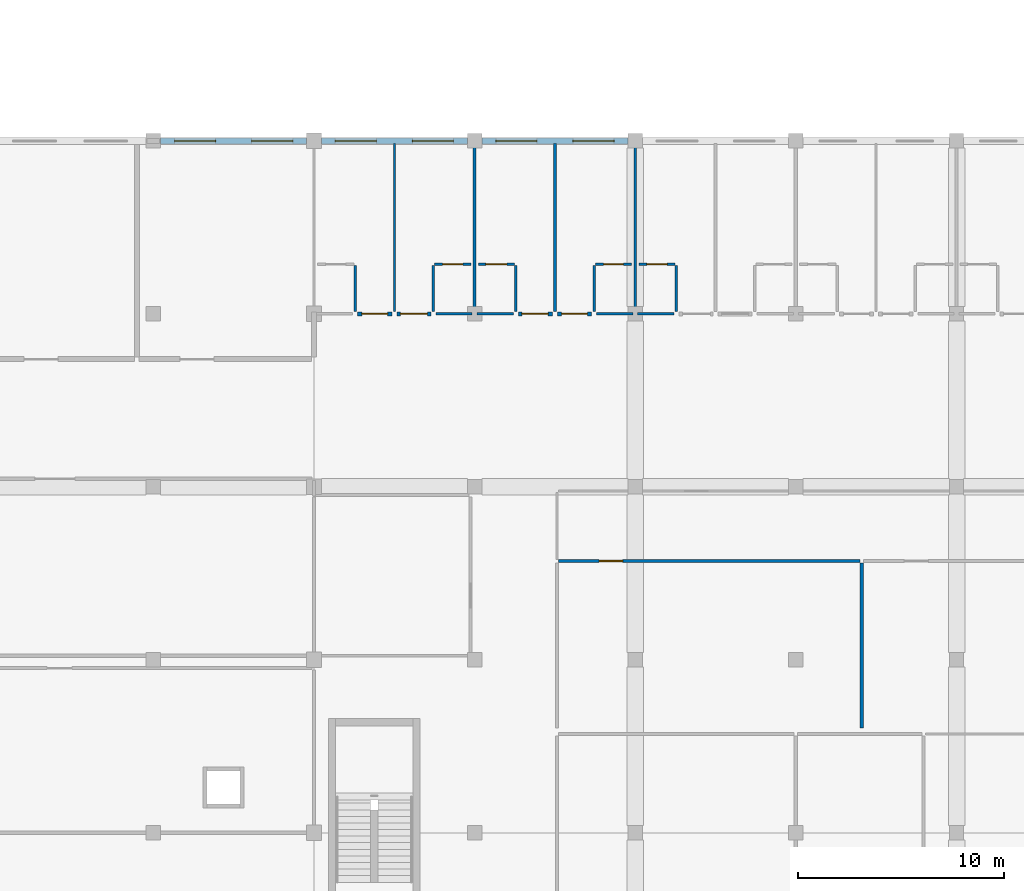
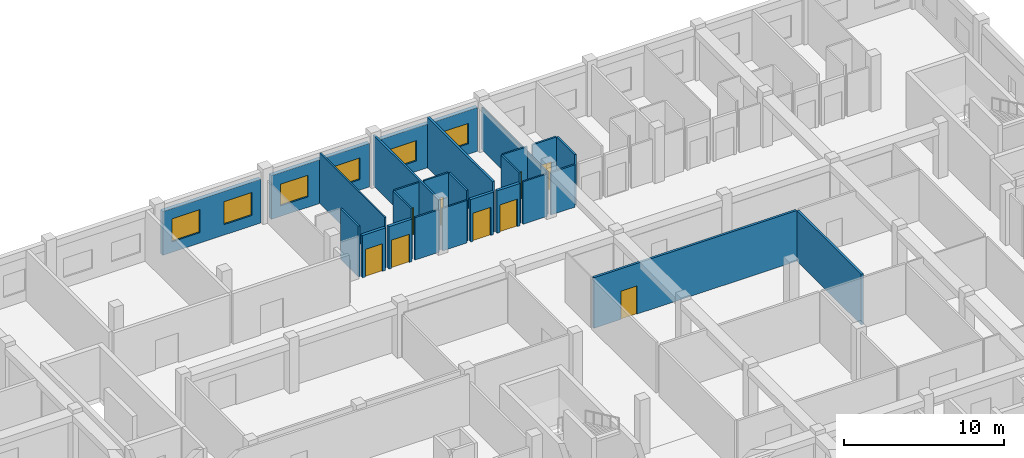
# One storey, part 41 of 53: 26 walls, 9 doors, 6 windows, 15 openings.
"""IFC4 building model written with IfcOpenShell, lengths in metres."""

import ifcopenshell
import ifcopenshell.guid

model = None  # the IFC model being written
_history = None  # IfcOwnerHistory: only IFC2X3 demands one
_inside = {}  # id of a spatial element -> (the spatial element, [elements in it])
_under = {}  # id of a project, library or spatial element -> (it, [spatial elements below it])
_declared = {}  # id of a project -> (the project, [libraries it declares])
_typed = {}  # id of a type object -> (the type object, [elements of that type])
_made_of = {}  # id of a material, layer set ... -> (it, [elements and type objects made of it])


def new_model(schema):
    """Start an empty IFC model of exactly this schema.

    Asked for "IFC4X3", IfcOpenShell would pick the latest addendum, in which some entities
    have other attributes; the version numbers below select the first issue.
    IFC2X3 requires an IfcOwnerHistory on every rooted entity: one is made here for all.
    """
    global model, _history
    if schema == "IFC4X3":
        model = ifcopenshell.file(schema_version=(4, 3, 0, 0))
    else:
        model = ifcopenshell.file(schema=schema)
    _inside.clear()
    _under.clear()
    _declared.clear()
    _typed.clear()
    _made_of.clear()
    _history = None
    if model.schema == "IFC2X3":
        org = make("IfcOrganization", Name="unknown")
        user = make(
            "IfcPersonAndOrganization",
            ThePerson=make("IfcPerson", FamilyName="unknown"),
            TheOrganization=org,
        )
        app = make(
            "IfcApplication",
            ApplicationDeveloper=org,
            Version="unknown",
            ApplicationFullName="unknown",
            ApplicationIdentifier="unknown",
        )
        _history = make(
            "IfcOwnerHistory",
            OwningUser=user,
            OwningApplication=app,
            ChangeAction="ADDED",
            CreationDate=0,
        )
    return model


def make(cls, **values):
    """One entity of the class cls with the attributes given. An attribute that is None is left unset."""
    return model.create_entity(
        cls, **{name: value for name, value in values.items() if value is not None}
    )


def rooted(cls, **values):
    """An entity with a GlobalId (a new one), such as an element, a storey or a relation."""
    return make(cls, GlobalId=ifcopenshell.guid.new(), OwnerHistory=_history, **values)


def si_unit(unit_type, name, prefix=None):
    """IfcSIUnit, for example si_unit("LENGTHUNIT", "METRE", prefix="MILLI")."""
    return make("IfcSIUnit", UnitType=unit_type, Prefix=prefix, Name=name)


def assignment(units):
    """IfcUnitAssignment: the units of a project."""
    return None if units is None else make("IfcUnitAssignment", Units=units)


def point(xyz):
    """IfcCartesianPoint."""
    return None if xyz is None else make("IfcCartesianPoint", Coordinates=xyz)


def direction(xyz):
    """IfcDirection."""
    return None if xyz is None else make("IfcDirection", DirectionRatios=xyz)


def frame(location, z_axis=None, x_axis=None):
    """IfcAxis2Placement3D, a coordinate frame: its origin and axes. An axis left out is left unset."""
    return make(
        "IfcAxis2Placement3D",
        Location=point(location),
        Axis=direction(z_axis),
        RefDirection=direction(x_axis),
    )


def frame_2d(location, x_axis=None):
    """IfcAxis2Placement2D, a coordinate frame in the plane: its origin and x axis."""
    return make(
        "IfcAxis2Placement2D", Location=point(location), RefDirection=direction(x_axis)
    )


def origin():
    """The frame at (0, 0, 0) with its axes left unset."""
    return frame((0.0, 0.0, 0.0))


def place(relative_to, where):
    """IfcLocalPlacement: puts the frame where relative to a parent placement (None: the world)."""
    return make(
        "IfcLocalPlacement", PlacementRelTo=relative_to, RelativePlacement=where
    )


def context(
    kind, dimensions, precision=None, world=None, true_north=None, identifier=None
):
    """IfcGeometricRepresentationContext, for example the 3D "Model" context."""
    return make(
        "IfcGeometricRepresentationContext",
        ContextIdentifier=identifier,
        ContextType=kind,
        CoordinateSpaceDimension=dimensions,
        Precision=precision,
        WorldCoordinateSystem=world,
        TrueNorth=true_north,
    )


def subcontext(parent, identifier, kind, view, scale=None):
    """IfcGeometricRepresentationSubContext, for example "Body" below "Model"."""
    return make(
        "IfcGeometricRepresentationSubContext",
        ContextIdentifier=identifier,
        ContextType=kind,
        ParentContext=parent,
        TargetScale=scale,
        TargetView=view,
    )


def project(units=None, contexts=None):
    """IfcProject with its units and contexts."""
    return rooted(
        "IfcProject",
        Name="project",
        RepresentationContexts=contexts,
        UnitsInContext=assignment(units),
    )


def spatial(cls, under=None, at=None, **own):
    """A site, building, storey or space (cls), placed at a placement, below another one or the project."""
    s = rooted(cls, ObjectPlacement=at, **own)
    if under is not None:
        _under.setdefault(under.id(), (under, []))[1].append(s)
    return s


def profile(cls, at=None, kind="AREA", **sizes):
    """A parametric profile (cls). Its sizes go by their IFC names, for example OverallWidth=200.0."""
    return make(cls, ProfileType=kind, Position=at, **sizes)


def rectangle(**sizes):
    """IfcRectangleProfileDef."""
    return profile("IfcRectangleProfileDef", **sizes)


def extrude(swept, where, along, depth):
    """IfcExtrudedAreaSolid: the profile swept, set in the frame where, extruded along a direction by depth."""
    return make(
        "IfcExtrudedAreaSolid",
        SweptArea=swept,
        Position=where,
        ExtrudedDirection=direction(along),
        Depth=depth,
    )


def shape(context_of_items, identifier, shape_type, items):
    """IfcShapeRepresentation: the items that make up one representation, for example the "Body"."""
    return make(
        "IfcShapeRepresentation",
        ContextOfItems=context_of_items,
        RepresentationIdentifier=identifier,
        RepresentationType=shape_type,
        Items=items,
    )


def material(Name=None, Category=None):
    """IfcMaterial."""
    return make("IfcMaterial", Name=Name, Category=Category)


def layer(
    of_material, thickness, ventilated=None, Name=None, Category=None, Priority=None
):
    """IfcMaterialLayer: one layer of a wall or slab, of a material (None: an air gap)."""
    return make(
        "IfcMaterialLayer",
        Material=of_material,
        LayerThickness=thickness,
        IsVentilated=ventilated,
        Name=Name,
        Category=Category,
        Priority=Priority,
    )


def layer_set(layers, Name=None):
    """IfcMaterialLayerSet."""
    return make("IfcMaterialLayerSet", MaterialLayers=layers, LayerSetName=Name)


def made_of(thing, what):
    """Note that an element or type object is made of a material, layer set ...; save() writes the relation."""
    if what is not None:
        _made_of.setdefault(what.id(), (what, []))[1].append(thing)
    return thing


def type_object(cls, material=None, **own):
    """A type object (cls), such as IfcWallType, which elements share."""
    return made_of(rooted(cls, **own), material)


def element(
    cls,
    number,
    at=None,
    inside=None,
    cuts=None,
    type_object=None,
    material=None,
    context=None,
    identifier="Body",
    shape_type=None,
    held_by="IfcProductDefinitionShape",
    body=None,
    shapes=None,
    **own,
):
    """One element of the class cls, such as IfcWall. Its Tag is "e" and its number.

    at: its placement. inside: the storey or other place that contains it. cuts: it is an
    opening in that element (IfcRelVoidsElement). A single representation is given by context,
    identifier, shape_type and body (its items); several are given by shapes. held_by: the class
    of the entity that holds the representations. save() writes the other relations.
    """
    e = rooted(cls, Tag="e%d" % number, ObjectPlacement=at, **own)
    if body is not None:
        shapes = [shape(context, identifier, shape_type, body)]
    if shapes is not None:
        e.Representation = make(held_by, Representations=shapes)
    if inside is not None:
        _inside.setdefault(inside.id(), (inside, []))[1].append(e)
    if cuts is not None:
        rooted(
            "IfcRelVoidsElement", RelatingBuildingElement=cuts, RelatedOpeningElement=e
        )
    if type_object is not None:
        _typed.setdefault(type_object.id(), (type_object, []))[1].append(e)
    return made_of(e, material)


def fill(opening, filler):
    """IfcRelFillsElement: the door or window that sits in an opening."""
    return rooted(
        "IfcRelFillsElement",
        RelatingOpeningElement=opening,
        RelatedBuildingElement=filler,
    )


def aggregate(whole, parts):
    """IfcRelAggregates: a whole, such as a stair, and the parts it consists of."""
    return rooted("IfcRelAggregates", RelatingObject=whole, RelatedObjects=parts)


def save(model, path):
    """Write the relations noted so far, then the file.

    IfcRelAggregates (storeys below a building ...), IfcRelContainedInSpatialStructure (elements
    in a storey), IfcRelDefinesByType, IfcRelAssociatesMaterial and IfcRelDeclares: one each for
    every whole, place, type object, material and project.
    """
    for whole, parts in _under.values():
        aggregate(whole, parts)
    for where, things in _inside.values():
        rooted(
            "IfcRelContainedInSpatialStructure",
            RelatedElements=things,
            RelatingStructure=where,
        )
    for kind, things in _typed.values():
        rooted("IfcRelDefinesByType", RelatedObjects=things, RelatingType=kind)
    for what, things in _made_of.values():
        rooted("IfcRelAssociatesMaterial", RelatedObjects=things, RelatingMaterial=what)
    for by, libraries in _declared.values():
        rooted("IfcRelDeclares", RelatingContext=by, RelatedDefinitions=libraries)
    model.write(path)


model = new_model("IFC4")

# Units and contexts
model_context = context("Model", 3, precision=1e-05, world=origin(), true_north=direction((0.0, 1.0)))
body_context = subcontext(model_context, "Body", "Model", "MODEL_VIEW")
ifc_project = project(units=[si_unit("LENGTHUNIT", "METRE"), si_unit("AREAUNIT", "SQUARE_METRE"), si_unit("VOLUMEUNIT", "CUBIC_METRE"), si_unit("PLANEANGLEUNIT", "RADIAN"), si_unit("MASSUNIT", "GRAM", prefix="KILO"), si_unit("THERMODYNAMICTEMPERATUREUNIT", "KELVIN"), si_unit("POWERUNIT", "WATT")], contexts=[model_context])

# Site, building, storey
site_placement = place(None, origin())
site = spatial("IfcSite", under=ifc_project, at=site_placement, CompositionType="ELEMENT")
building_placement = place(site_placement, origin())
building = spatial("IfcBuilding", under=site, at=building_placement, Name="Srebrne Nadtorze General Hospital", CompositionType="ELEMENT")
storey_placement = place(building_placement, frame((0.0, 0.0, 18.0)))
storey = spatial("IfcBuildingStorey", under=building, at=storey_placement, Name="L04", CompositionType="ELEMENT", Elevation=18.0)

# Walls
ifc_material_1 = material(Name="Gypsum Healthcare Partition")
ifc_layer_1 = layer(ifc_material_1, 0.139892578125)
ifc_layer_set_1 = layer_set([ifc_layer_1], Name="Gypsum Healthcare Partition")
wall_type_1 = type_object("IfcWallType", Name="Clinical partition 140", PredefinedType="PARTITIONING", material=ifc_layer_set_1)
wall_1_placement = place(storey_placement, frame((109.199951171875, 84.1201171875, 0.0), z_axis=(0.0, 0.0, 1.0), x_axis=(0.0, 1.0, 0.0)))
element("IfcWall", 1, at=wall_1_placement, inside=storey, type_object=wall_type_1, Name="Ward inter-room partition WL-INT-L04-1731", PredefinedType="PARTITIONING", context=body_context, shape_type="SweptSolid", body=[
    extrude(rectangle(XDim=8.159912109375, YDim=0.139892578125, at=frame_2d((4.080078125, 0.0))), origin(), (0.0, 0.0, 1.0), 3.864990234375),
])
ifc_material_2 = material(Name="Gypsum Healthcare Partition")
ifc_layer_2 = layer(ifc_material_2, 0.159912109375)
ifc_layer_set_2 = layer_set([ifc_layer_2], Name="Gypsum Healthcare Partition")
wall_type_2 = type_object("IfcWallType", Name="Clinical partition 160", PredefinedType="PARTITIONING", material=ifc_layer_set_2)
wall_2_placement = place(storey_placement, frame((113.10009765625, 84.1201171875, 0.0), z_axis=(0.0, 0.0, 1.0), x_axis=(0.0, 1.0, 0.0)))
element("IfcWall", 2, at=wall_2_placement, inside=storey, type_object=wall_type_2, Name="Ward inter-room partition WL-INT-L04-1736", PredefinedType="PARTITIONING", context=body_context, shape_type="SweptSolid", body=[
    extrude(rectangle(XDim=8.159912109375, YDim=0.159912109375, at=frame_2d((4.080078125, 0.0))), origin(), (0.0, 0.0, 1.0), 3.864990234375),
])

# Wall, opening, door
wall_3_placement = place(storey_placement, frame((113.284912109375, 72.0, 0.0), z_axis=(0.0, 0.0, 1.0), x_axis=(1.0, 0.0, 0.0)))
wall_3 = element("IfcWall", 3, at=wall_3_placement, inside=storey, type_object=wall_type_2, Name="Coronary Step-Down Ward wall WL-INT-L04-1848", PredefinedType="PARTITIONING", context=body_context, shape_type="SweptSolid", body=[
    extrude(rectangle(XDim=14.630126953125, YDim=0.159912109375, at=frame_2d((7.31494140625, 0.0))), origin(), (0.0, 0.0, 1.0), 3.864990234375),
])
opening_1_placement = place(wall_3_placement, frame((1.9580078125, 0.0, 0.0)))
opening_1 = element("IfcOpeningElement", 4, at=opening_1_placement, cuts=wall_3, Name="Opening D-L04-0352", PredefinedType="OPENING", context=body_context, shape_type="SweptSolid", body=[
    extrude(rectangle(XDim=1.14990234375, YDim=2.14990234375, at=frame_2d((0.574951171875, 1.074951171875))), frame((0.0, 0.091796875, 0.0), z_axis=(0.0, -1.0, 0.0), x_axis=(1.0, 0.0, 0.0)), (0.0, 0.0, 1.0), 0.183837890625),
])
ifc_material_3 = material(Name="Anodised Aluminium", Category="aluminium")
door_type_1 = type_object("IfcDoorType", Name="Single leaf door 1150x2150", OperationType="NOTDEFINED", PredefinedType="DOOR", material=ifc_material_3)
door_1_placement = place(opening_1_placement, frame((1.14990234375, 0.0, 0.0), z_axis=(0.0, 0.0, 1.0), x_axis=(-1.0, 0.0, 0.0)))
door_1 = element("IfcDoor", 5, at=door_1_placement, inside=storey, type_object=door_type_1, Name="Coronary Step-Down Ward door D-L04-0352", OperationType="SINGLE_SWING_RIGHT", OverallHeight=2.14990234375, OverallWidth=1.14990234375, PredefinedType="DOOR", context=body_context, shape_type="SweptSolid", body=[
    extrude(rectangle(XDim=1.14990234375, YDim=2.14990234375, at=frame_2d((0.574951171875, 1.074951171875))), frame((0.0, 0.02490234375, 0.0), z_axis=(0.0, -1.0, 0.0), x_axis=(1.0, 0.0, 0.0)), (0.0, 0.0, 1.0), 0.050048828125),
])
fill(opening_1, door_1)

# Wall
wall_4_placement = place(storey_placement, frame((128.0, 63.885009765625, 0.0), z_axis=(0.0, 0.0, 1.0), x_axis=(0.0, 1.0, 0.0)))
element("IfcWall", 6, at=wall_4_placement, inside=storey, type_object=wall_type_2, Name="Coronary Step-Down Ward wall WL-INT-L04-1850", PredefinedType="PARTITIONING", context=body_context, shape_type="SweptSolid", body=[
    extrude(rectangle(XDim=8.030029296875, YDim=0.159912109375, at=frame_2d((4.01513671875, 0.0))), origin(), (0.0, 0.0, 1.0), 3.864990234375),
])

# Wall, opening, door
ifc_material_4 = material(Name="Gypsum Healthcare Partition")
ifc_layer_3 = layer(ifc_material_4, 0.199951171875)
ifc_layer_set_3 = layer_set([ifc_layer_3], Name="Gypsum Healthcare Partition")
wall_type_3 = type_object("IfcWallType", Name="Compartment wall 200", PredefinedType="STANDARD", material=ifc_layer_set_3)
wall_5_placement = place(storey_placement, frame((103.52001953125, 84.0, 0.0), z_axis=(0.0, 0.0, 1.0), x_axis=(1.0, 0.0, 0.0)))
wall_5 = element("IfcWall", 7, at=wall_5_placement, inside=storey, type_object=wall_type_3, Name="Ward corridor wall WL-INT-L04-1727", PredefinedType="STANDARD", context=body_context, shape_type="SweptSolid", body=[
    extrude(rectangle(XDim=1.659912109375, YDim=0.199951171875, at=frame_2d((0.830078125, 0.0))), origin(), (0.0, 0.0, 1.0), 3.235107421875),
])
opening_2_placement = place(wall_5_placement, frame((0.199951171875, 0.0, 0.0)))
opening_2 = element("IfcOpeningElement", 8, at=opening_2_placement, cuts=wall_5, Name="Opening D-L04-0306", PredefinedType="OPENING", context=body_context, shape_type="SweptSolid", body=[
    extrude(rectangle(XDim=1.260009765625, YDim=2.10009765625, at=frame_2d((0.6298828125, 1.050048828125))), frame((0.0, 0.11181640625, 0.0), z_axis=(0.0, -1.0, 0.0), x_axis=(1.0, 0.0, 0.0)), (0.0, 0.0, 1.0), 0.223876953125),
])
ifc_material_5 = material(Name="Anodised Aluminium", Category="aluminium")
door_type_2 = type_object("IfcDoorType", Name="Single leaf door 1260x2100", OperationType="NOTDEFINED", PredefinedType="DOOR", material=ifc_material_5)
door_2_placement = place(opening_2_placement, origin())
door_2 = element("IfcDoor", 9, at=door_2_placement, inside=storey, type_object=door_type_2, Name="Ward patient room door D-L04-0306", OperationType="SINGLE_SWING_RIGHT", OverallHeight=2.10009765625, OverallWidth=1.260009765625, PredefinedType="DOOR", context=body_context, shape_type="SweptSolid", body=[
    extrude(rectangle(XDim=1.260009765625, YDim=2.10009765625, at=frame_2d((0.6298828125, 1.050048828125))), frame((0.0, 0.02490234375, 0.0), z_axis=(0.0, -1.0, 0.0), x_axis=(1.0, 0.0, 0.0)), (0.0, 0.0, 1.0), 0.050048828125),
])
fill(opening_2, door_2)

wall_6_placement = place(storey_placement, frame((105.419921875, 84.0, 0.0), z_axis=(0.0, 0.0, 1.0), x_axis=(1.0, 0.0, 0.0)))
wall_6 = element("IfcWall", 10, at=wall_6_placement, inside=storey, type_object=wall_type_3, Name="Ward corridor wall WL-INT-L04-1732", PredefinedType="STANDARD", context=body_context, shape_type="SweptSolid", body=[
    extrude(rectangle(XDim=1.66015625, YDim=0.199951171875, at=frame_2d((0.830078125, 0.0))), origin(), (0.0, 0.0, 1.0), 3.235107421875),
])
opening_3_placement = place(wall_6_placement, frame((0.179931640625, 0.0, 0.0)))
opening_3 = element("IfcOpeningElement", 11, at=opening_3_placement, cuts=wall_6, Name="Opening D-L04-0308", PredefinedType="OPENING", context=body_context, shape_type="SweptSolid", body=[
    extrude(rectangle(XDim=1.300048828125, YDim=2.14990234375, at=frame_2d((0.64990234375, 1.074951171875))), frame((0.0, 0.11181640625, 0.0), z_axis=(0.0, -1.0, 0.0), x_axis=(1.0, 0.0, 0.0)), (0.0, 0.0, 1.0), 0.223876953125),
])
ifc_material_6 = material(Name="Anodised Aluminium", Category="aluminium")
door_type_3 = type_object("IfcDoorType", Name="Single leaf door 1300x2150", OperationType="NOTDEFINED", PredefinedType="DOOR", material=ifc_material_6)
door_3_placement = place(opening_3_placement, origin())
door_3 = element("IfcDoor", 12, at=door_3_placement, inside=storey, type_object=door_type_3, Name="Ward patient room door D-L04-0308", OperationType="SINGLE_SWING_RIGHT", OverallHeight=2.14990234375, OverallWidth=1.300048828125, PredefinedType="DOOR", context=body_context, shape_type="SweptSolid", body=[
    extrude(rectangle(XDim=1.300048828125, YDim=2.14990234375, at=frame_2d((0.64990234375, 1.074951171875))), frame((0.0, 0.02490234375, 0.0), z_axis=(0.0, -1.0, 0.0), x_axis=(1.0, 0.0, 0.0)), (0.0, 0.0, 1.0), 0.050048828125),
])
fill(opening_3, door_3)

wall_7_placement = place(storey_placement, frame((111.320068359375, 84.0, 0.0), z_axis=(0.0, 0.0, 1.0), x_axis=(1.0, 0.0, 0.0)))
wall_7 = element("IfcWall", 13, at=wall_7_placement, inside=storey, type_object=wall_type_3, Name="Ward corridor wall WL-INT-L04-1737", PredefinedType="STANDARD", context=body_context, shape_type="SweptSolid", body=[
    extrude(rectangle(XDim=1.659912109375, YDim=0.199951171875, at=frame_2d((0.830078125, 0.0))), origin(), (0.0, 0.0, 1.0), 3.235107421875),
])
opening_4_placement = place(wall_7_placement, frame((0.169921875, 0.0, 0.0)))
opening_4 = element("IfcOpeningElement", 14, at=opening_4_placement, cuts=wall_7, Name="Opening D-L04-0310", PredefinedType="OPENING", context=body_context, shape_type="SweptSolid", body=[
    extrude(rectangle(XDim=1.280029296875, YDim=2.14990234375, at=frame_2d((0.64013671875, 1.074951171875))), frame((0.0, 0.11181640625, 0.0), z_axis=(0.0, -1.0, 0.0), x_axis=(1.0, 0.0, 0.0)), (0.0, 0.0, 1.0), 0.223876953125),
])
ifc_material_7 = material(Name="Anodised Aluminium", Category="aluminium")
door_type_4 = type_object("IfcDoorType", Name="Single leaf door 1280x2150", OperationType="NOTDEFINED", PredefinedType="DOOR", material=ifc_material_7)
door_4_placement = place(opening_4_placement, origin())
door_4 = element("IfcDoor", 15, at=door_4_placement, inside=storey, type_object=door_type_4, Name="Ward patient room door D-L04-0310", OperationType="SINGLE_SWING_LEFT", OverallHeight=2.14990234375, OverallWidth=1.280029296875, PredefinedType="DOOR", context=body_context, shape_type="SweptSolid", body=[
    extrude(rectangle(XDim=1.280029296875, YDim=2.14990234375, at=frame_2d((0.64013671875, 1.074951171875))), frame((0.0, 0.02490234375, 0.0), z_axis=(0.0, -1.0, 0.0), x_axis=(1.0, 0.0, 0.0)), (0.0, 0.0, 1.0), 0.050048828125),
])
fill(opening_4, door_4)

wall_8_placement = place(storey_placement, frame((113.219970703125, 84.0, 0.0), z_axis=(0.0, 0.0, 1.0), x_axis=(1.0, 0.0, 0.0)))
wall_8 = element("IfcWall", 16, at=wall_8_placement, inside=storey, type_object=wall_type_3, Name="Ward corridor wall WL-INT-L04-1742", PredefinedType="STANDARD", context=body_context, shape_type="SweptSolid", body=[
    extrude(rectangle(XDim=1.659912109375, YDim=0.199951171875, at=frame_2d((0.830078125, 0.0))), origin(), (0.0, 0.0, 1.0), 3.235107421875),
])
opening_5_placement = place(wall_8_placement, frame((0.199951171875, 0.0, 0.0)))
opening_5 = element("IfcOpeningElement", 17, at=opening_5_placement, cuts=wall_8, Name="Opening D-L04-0312", PredefinedType="OPENING", context=body_context, shape_type="SweptSolid", body=[
    extrude(rectangle(XDim=1.260009765625, YDim=2.10009765625, at=frame_2d((0.6298828125, 1.050048828125))), frame((0.0, 0.11181640625, 0.0), z_axis=(0.0, -1.0, 0.0), x_axis=(1.0, 0.0, 0.0)), (0.0, 0.0, 1.0), 0.223876953125),
])
door_5_placement = place(opening_5_placement, origin())
door_5 = element("IfcDoor", 18, at=door_5_placement, inside=storey, type_object=door_type_2, Name="Ward patient room door D-L04-0312", OperationType="SINGLE_SWING_RIGHT", OverallHeight=2.10009765625, OverallWidth=1.260009765625, PredefinedType="DOOR", context=body_context, shape_type="SweptSolid", body=[
    extrude(rectangle(XDim=1.260009765625, YDim=2.10009765625, at=frame_2d((0.6298828125, 1.050048828125))), frame((0.0, 0.02490234375, 0.0), z_axis=(0.0, -1.0, 0.0), x_axis=(1.0, 0.0, 0.0)), (0.0, 0.0, 1.0), 0.050048828125),
])
fill(opening_5, door_5)

# Walls
ifc_material_8 = material(Name="Gypsum Healthcare Partition")
ifc_layer_4 = layer(ifc_material_8, 0.1201171875)
ifc_layer_set_4 = layer_set([ifc_layer_4], Name="Gypsum Healthcare Partition")
wall_type_4 = type_object("IfcWallType", Name="En-suite partition 120", PredefinedType="PARTITIONING", material=ifc_layer_set_4)
wall_9_placement = place(storey_placement, frame((103.39990234375, 84.1201171875, 0.0), z_axis=(0.0, 0.0, 1.0), x_axis=(0.0, 1.0, 0.0)))
element("IfcWall", 19, at=wall_9_placement, inside=storey, type_object=wall_type_4, Name="En-suite wet wall WL-INT-L04-1729", PredefinedType="PARTITIONING", context=body_context, shape_type="SweptSolid", body=[
    extrude(rectangle(XDim=2.239990234375, YDim=0.1201171875, at=frame_2d((1.1201171875, 0.0))), origin(), (0.0, 0.0, 1.0), 3.864990234375),
])
wall_10_placement = place(storey_placement, frame((107.320068359375, 84.0, 0.0), z_axis=(0.0, 0.0, 1.0), x_axis=(1.0, 0.0, 0.0)))
element("IfcWall", 20, at=wall_10_placement, inside=storey, type_object=wall_type_4, Name="En-suite corridor wall WL-INT-L04-1733", PredefinedType="PARTITIONING", context=body_context, shape_type="SweptSolid", body=[
    extrude(rectangle(XDim=1.760009765625, YDim=0.1201171875, at=frame_2d((0.8798828125, 0.0))), origin(), (0.0, 0.0, 1.0), 3.235107421875),
])
wall_11_placement = place(storey_placement, frame((107.199951171875, 84.1201171875, 0.0), z_axis=(0.0, 0.0, 1.0), x_axis=(0.0, 1.0, 0.0)))
element("IfcWall", 21, at=wall_11_placement, inside=storey, type_object=wall_type_4, Name="En-suite wet wall WL-INT-L04-1734", PredefinedType="PARTITIONING", context=body_context, shape_type="SweptSolid", body=[
    extrude(rectangle(XDim=2.239990234375, YDim=0.1201171875, at=frame_2d((1.1201171875, 0.0))), origin(), (0.0, 0.0, 1.0), 3.864990234375),
])

# Wall, opening, door
wall_12_placement = place(storey_placement, frame((107.260009765625, 86.419921875, 0.0), z_axis=(0.0, 0.0, 1.0), x_axis=(1.0, 0.0, 0.0)))
wall_12 = element("IfcWall", 22, at=wall_12_placement, inside=storey, type_object=wall_type_4, Name="En-suite wet wall WL-INT-L04-1735", PredefinedType="PARTITIONING", context=body_context, shape_type="SweptSolid", body=[
    extrude(rectangle(XDim=1.760009765625, YDim=0.1201171875, at=frame_2d((0.8798828125, 0.0))), origin(), (0.0, 0.0, 1.0), 3.864990234375),
])
opening_6_placement = place(wall_12_placement, frame((0.389892578125, 0.0, 0.0)))
opening_6 = element("IfcOpeningElement", 23, at=opening_6_placement, cuts=wall_12, Name="Opening D-L04-0309", PredefinedType="OPENING", context=body_context, shape_type="SweptSolid", body=[
    extrude(rectangle(XDim=0.97998046875, YDim=2.10009765625, at=frame_2d((0.489990234375, 1.050048828125))), frame((0.0, 0.072021484375, 0.0), z_axis=(0.0, -1.0, 0.0), x_axis=(1.0, 0.0, 0.0)), (0.0, 0.0, 1.0), 0.14404296875),
])
ifc_material_9 = material(Name="Anodised Aluminium", Category="aluminium")
door_type_5 = type_object("IfcDoorType", Name="Single leaf door 980x2100", OperationType="NOTDEFINED", PredefinedType="DOOR", material=ifc_material_9)
door_6_placement = place(opening_6_placement, frame((0.97998046875, 0.0, 0.0), z_axis=(0.0, 0.0, 1.0), x_axis=(-1.0, 0.0, 0.0)))
door_6 = element("IfcDoor", 24, at=door_6_placement, inside=storey, type_object=door_type_5, Name="En-suite bathroom door D-L04-0309", OperationType="SINGLE_SWING_RIGHT", OverallHeight=2.10009765625, OverallWidth=0.97998046875, PredefinedType="DOOR", context=body_context, shape_type="SweptSolid", body=[
    extrude(rectangle(XDim=0.97998046875, YDim=2.10009765625, at=frame_2d((0.489990234375, 1.050048828125))), frame((0.0, 0.02490234375, 0.0), z_axis=(0.0, -1.0, 0.0), x_axis=(1.0, 0.0, 0.0)), (0.0, 0.0, 1.0), 0.050048828125),
])
fill(opening_6, door_6)

# Walls
wall_13_placement = place(storey_placement, frame((109.320068359375, 84.0, 0.0), z_axis=(0.0, 0.0, 1.0), x_axis=(1.0, 0.0, 0.0)))
element("IfcWall", 25, at=wall_13_placement, inside=storey, type_object=wall_type_4, Name="En-suite corridor wall WL-INT-L04-1738", PredefinedType="PARTITIONING", context=body_context, shape_type="SweptSolid", body=[
    extrude(rectangle(XDim=1.760009765625, YDim=0.1201171875, at=frame_2d((0.8798828125, 0.0))), origin(), (0.0, 0.0, 1.0), 3.235107421875),
])
wall_14_placement = place(storey_placement, frame((111.199951171875, 84.1201171875, 0.0), z_axis=(0.0, 0.0, 1.0), x_axis=(0.0, 1.0, 0.0)))
element("IfcWall", 26, at=wall_14_placement, inside=storey, type_object=wall_type_4, Name="En-suite wet wall WL-INT-L04-1739", PredefinedType="PARTITIONING", context=body_context, shape_type="SweptSolid", body=[
    extrude(rectangle(XDim=2.239990234375, YDim=0.1201171875, at=frame_2d((1.1201171875, 0.0))), origin(), (0.0, 0.0, 1.0), 3.864990234375),
])

# Wall, opening, door
wall_15_placement = place(storey_placement, frame((109.3798828125, 86.419921875, 0.0), z_axis=(0.0, 0.0, 1.0), x_axis=(1.0, 0.0, 0.0)))
wall_15 = element("IfcWall", 27, at=wall_15_placement, inside=storey, type_object=wall_type_4, Name="En-suite wet wall WL-INT-L04-1740", PredefinedType="PARTITIONING", context=body_context, shape_type="SweptSolid", body=[
    extrude(rectangle(XDim=1.760009765625, YDim=0.1201171875, at=frame_2d((0.8798828125, 0.0))), origin(), (0.0, 0.0, 1.0), 3.864990234375),
])
opening_7_placement = place(wall_15_placement, frame((0.3701171875, 0.0, 0.0)))
opening_7 = element("IfcOpeningElement", 28, at=opening_7_placement, cuts=wall_15, Name="Opening D-L04-0311", PredefinedType="OPENING", context=body_context, shape_type="SweptSolid", body=[
    extrude(rectangle(XDim=1.02001953125, YDim=2.14990234375, at=frame_2d((0.510009765625, 1.074951171875))), frame((0.0, 0.072021484375, 0.0), z_axis=(0.0, -1.0, 0.0), x_axis=(1.0, 0.0, 0.0)), (0.0, 0.0, 1.0), 0.14404296875),
])
ifc_material_10 = material(Name="Anodised Aluminium", Category="aluminium")
door_type_6 = type_object("IfcDoorType", Name="Single leaf door 1020x2150", OperationType="NOTDEFINED", PredefinedType="DOOR", material=ifc_material_10)
door_7_placement = place(opening_7_placement, frame((1.02001953125, 0.0, 0.0), z_axis=(0.0, 0.0, 1.0), x_axis=(-1.0, 0.0, 0.0)))
door_7 = element("IfcDoor", 29, at=door_7_placement, inside=storey, type_object=door_type_6, Name="En-suite bathroom door D-L04-0311", OperationType="SINGLE_SWING_RIGHT", OverallHeight=2.14990234375, OverallWidth=1.02001953125, PredefinedType="DOOR", context=body_context, shape_type="SweptSolid", body=[
    extrude(rectangle(XDim=1.02001953125, YDim=2.14990234375, at=frame_2d((0.510009765625, 1.074951171875))), frame((0.0, 0.02490234375, 0.0), z_axis=(0.0, -1.0, 0.0), x_axis=(1.0, 0.0, 0.0)), (0.0, 0.0, 1.0), 0.050048828125),
])
fill(opening_7, door_7)

# Walls
wall_16_placement = place(storey_placement, frame((115.1201171875, 84.0, 0.0), z_axis=(0.0, 0.0, 1.0), x_axis=(1.0, 0.0, 0.0)))
element("IfcWall", 30, at=wall_16_placement, inside=storey, type_object=wall_type_4, Name="En-suite corridor wall WL-INT-L04-1743", PredefinedType="PARTITIONING", context=body_context, shape_type="SweptSolid", body=[
    extrude(rectangle(XDim=1.759765625, YDim=0.1201171875, at=frame_2d((0.8798828125, 0.0))), origin(), (0.0, 0.0, 1.0), 3.235107421875),
])
wall_17_placement = place(storey_placement, frame((115.0, 84.1201171875, 0.0), z_axis=(0.0, 0.0, 1.0), x_axis=(0.0, 1.0, 0.0)))
element("IfcWall", 31, at=wall_17_placement, inside=storey, type_object=wall_type_4, Name="En-suite wet wall WL-INT-L04-1744", PredefinedType="PARTITIONING", context=body_context, shape_type="SweptSolid", body=[
    extrude(rectangle(XDim=2.239990234375, YDim=0.1201171875, at=frame_2d((1.1201171875, 0.0))), origin(), (0.0, 0.0, 1.0), 3.864990234375),
])

# Wall, opening, door
wall_18_placement = place(storey_placement, frame((115.06005859375, 86.419921875, 0.0), z_axis=(0.0, 0.0, 1.0), x_axis=(1.0, 0.0, 0.0)))
wall_18 = element("IfcWall", 32, at=wall_18_placement, inside=storey, type_object=wall_type_4, Name="En-suite wet wall WL-INT-L04-1745", PredefinedType="PARTITIONING", context=body_context, shape_type="SweptSolid", body=[
    extrude(rectangle(XDim=1.760009765625, YDim=0.1201171875, at=frame_2d((0.8798828125, 0.0))), origin(), (0.0, 0.0, 1.0), 3.864990234375),
])
opening_8_placement = place(wall_18_placement, frame((0.39990234375, 0.0, 0.0)))
opening_8 = element("IfcOpeningElement", 33, at=opening_8_placement, cuts=wall_18, Name="Opening D-L04-0313", PredefinedType="OPENING", context=body_context, shape_type="SweptSolid", body=[
    extrude(rectangle(XDim=0.9599609375, YDim=2.1201171875, at=frame_2d((0.47998046875, 1.06005859375))), frame((0.0, 0.072021484375, 0.0), z_axis=(0.0, -1.0, 0.0), x_axis=(1.0, 0.0, 0.0)), (0.0, 0.0, 1.0), 0.14404296875),
])
ifc_material_11 = material(Name="Anodised Aluminium", Category="aluminium")
door_type_7 = type_object("IfcDoorType", Name="Single leaf door 960x2120", OperationType="NOTDEFINED", PredefinedType="DOOR", material=ifc_material_11)
door_8_placement = place(opening_8_placement, frame((0.9599609375, 0.0, 0.0), z_axis=(0.0, 0.0, 1.0), x_axis=(-1.0, 0.0, 0.0)))
door_8 = element("IfcDoor", 34, at=door_8_placement, inside=storey, type_object=door_type_7, Name="En-suite bathroom door D-L04-0313", OperationType="SINGLE_SWING_RIGHT", OverallHeight=2.1201171875, OverallWidth=0.9599609375, PredefinedType="DOOR", context=body_context, shape_type="SweptSolid", body=[
    extrude(rectangle(XDim=0.9599609375, YDim=2.1201171875, at=frame_2d((0.47998046875, 1.06005859375))), frame((0.0, 0.02490234375, 0.0), z_axis=(0.0, -1.0, 0.0), x_axis=(1.0, 0.0, 0.0)), (0.0, 0.0, 1.0), 0.050048828125),
])
fill(opening_8, door_8)

# Walls
wall_19_placement = place(storey_placement, frame((117.1201171875, 84.0, 0.0), z_axis=(0.0, 0.0, 1.0), x_axis=(1.0, 0.0, 0.0)))
element("IfcWall", 35, at=wall_19_placement, inside=storey, type_object=wall_type_4, Name="En-suite corridor wall WL-INT-L04-1748", PredefinedType="PARTITIONING", context=body_context, shape_type="SweptSolid", body=[
    extrude(rectangle(XDim=1.759765625, YDim=0.1201171875, at=frame_2d((0.8798828125, 0.0))), origin(), (0.0, 0.0, 1.0), 3.235107421875),
])
wall_20_placement = place(storey_placement, frame((119.0, 84.1201171875, 0.0), z_axis=(0.0, 0.0, 1.0), x_axis=(0.0, 1.0, 0.0)))
element("IfcWall", 36, at=wall_20_placement, inside=storey, type_object=wall_type_4, Name="En-suite wet wall WL-INT-L04-1749", PredefinedType="PARTITIONING", context=body_context, shape_type="SweptSolid", body=[
    extrude(rectangle(XDim=2.239990234375, YDim=0.1201171875, at=frame_2d((1.1201171875, 0.0))), origin(), (0.0, 0.0, 1.0), 3.864990234375),
])

# Wall, opening, door
wall_21_placement = place(storey_placement, frame((117.179931640625, 86.419921875, 0.0), z_axis=(0.0, 0.0, 1.0), x_axis=(1.0, 0.0, 0.0)))
wall_21 = element("IfcWall", 37, at=wall_21_placement, inside=storey, type_object=wall_type_4, Name="En-suite wet wall WL-INT-L04-1750", PredefinedType="PARTITIONING", context=body_context, shape_type="SweptSolid", body=[
    extrude(rectangle(XDim=1.760009765625, YDim=0.1201171875, at=frame_2d((0.8798828125, 0.0))), origin(), (0.0, 0.0, 1.0), 3.864990234375),
])
opening_9_placement = place(wall_21_placement, frame((0.389892578125, 0.0, 0.0)))
opening_9 = element("IfcOpeningElement", 38, at=opening_9_placement, cuts=wall_21, Name="Opening D-L04-0315", PredefinedType="OPENING", context=body_context, shape_type="SweptSolid", body=[
    extrude(rectangle(XDim=0.97998046875, YDim=2.10009765625, at=frame_2d((0.489990234375, 1.050048828125))), frame((0.0, 0.072021484375, 0.0), z_axis=(0.0, -1.0, 0.0), x_axis=(1.0, 0.0, 0.0)), (0.0, 0.0, 1.0), 0.14404296875),
])
door_9_placement = place(opening_9_placement, frame((0.97998046875, 0.0, 0.0), z_axis=(0.0, 0.0, 1.0), x_axis=(-1.0, 0.0, 0.0)))
door_9 = element("IfcDoor", 39, at=door_9_placement, inside=storey, type_object=door_type_5, Name="En-suite bathroom door D-L04-0315", OperationType="SINGLE_SWING_RIGHT", OverallHeight=2.10009765625, OverallWidth=0.97998046875, PredefinedType="DOOR", context=body_context, shape_type="SweptSolid", body=[
    extrude(rectangle(XDim=0.97998046875, YDim=2.10009765625, at=frame_2d((0.489990234375, 1.050048828125))), frame((0.0, 0.02490234375, 0.0), z_axis=(0.0, -1.0, 0.0), x_axis=(1.0, 0.0, 0.0)), (0.0, 0.0, 1.0), 0.050048828125),
])
fill(opening_9, door_9)

# Walls
ifc_material_12 = material(Name="Gypsum Healthcare Partition")
ifc_layer_5 = layer(ifc_material_12, 0.10009765625)
ifc_layer_set_5 = layer_set([ifc_layer_5], Name="Gypsum Healthcare Partition")
wall_type_5 = type_object("IfcWallType", Name="Shaft lining wall 100", PredefinedType="PARTITIONING", material=ifc_layer_set_5)
wall_22_placement = place(storey_placement, frame((105.300048828125, 84.1201171875, 0.0), z_axis=(0.0, 0.0, 1.0), x_axis=(0.0, 1.0, 0.0)))
element("IfcWall", 40, at=wall_22_placement, inside=storey, type_object=wall_type_5, Name="Ward inter-room partition WL-INT-L04-1726", PredefinedType="PARTITIONING", context=body_context, shape_type="SweptSolid", body=[
    extrude(rectangle(XDim=8.159912109375, YDim=0.10009765625, at=frame_2d((4.080078125, 0.0))), origin(), (0.0, 0.0, 1.0), 3.864990234375),
])
wall_23_placement = place(storey_placement, frame((117.0, 84.1201171875, 0.0), z_axis=(0.0, 0.0, 1.0), x_axis=(0.0, 1.0, 0.0)))
element("IfcWall", 41, at=wall_23_placement, inside=storey, type_object=wall_type_5, Name="Ward inter-room partition WL-INT-L04-1741", PredefinedType="PARTITIONING", context=body_context, shape_type="SweptSolid", body=[
    extrude(rectangle(XDim=8.159912109375, YDim=0.10009765625, at=frame_2d((4.080078125, 0.0))), origin(), (0.0, 0.0, 1.0), 3.235107421875),
])

# Wall, openings, windows
ifc_material_13 = material(Name="Concrete C35/45 precast", Category="concrete")
ifc_layer_6 = layer(ifc_material_13, 0.280029296875)
ifc_layer_set_6 = layer_set([ifc_layer_6], Name="Concrete C35/45 precast")
wall_type_6 = type_object("IfcWallType", Name="Spandrel wall 280", PredefinedType="STANDARD", material=ifc_layer_set_6)
wall_24_placement = place(storey_placement, frame((93.949951171875, 92.39990234375, 0.0), z_axis=(0.0, 0.0, 1.0), x_axis=(1.0, 0.0, 0.0)))
wall_24 = element("IfcWall", 42, at=wall_24_placement, inside=storey, type_object=wall_type_6, Name="Exterior wall WL-ENV-L04-0369", PredefinedType="STANDARD", context=body_context, shape_type="SweptSolid", body=[
    extrude(rectangle(XDim=7.074951171875, YDim=0.280029296875, at=frame_2d((3.53759765625, 0.0))), origin(), (0.0, 0.0, 1.0), 3.3349609375),
])
opening_10_placement = place(wall_24_placement, frame((0.677978515625, 0.0, 0.800048828125)))
opening_10 = element("IfcOpeningElement", 43, at=opening_10_placement, cuts=wall_24, Name="Opening WN-L04-0561", PredefinedType="OPENING", context=body_context, shape_type="SweptSolid", body=[
    extrude(rectangle(XDim=2.0, YDim=1.75, at=frame_2d((1.0, 0.875))), frame((0.0, 0.15185546875, 0.0), z_axis=(0.0, -1.0, 0.0), x_axis=(1.0, 0.0, 0.0)), (0.0, 0.0, 1.0), 0.303955078125),
])
opening_11_placement = place(wall_24_placement, frame((4.422119140625, 0.0, 0.800048828125)))
opening_11 = element("IfcOpeningElement", 44, at=opening_11_placement, cuts=wall_24, Name="Opening WN-L04-0562", PredefinedType="OPENING", context=body_context, shape_type="SweptSolid", body=[
    extrude(rectangle(XDim=2.0, YDim=1.75, at=frame_2d((1.0, 0.875))), frame((0.0, 0.15185546875, 0.0), z_axis=(0.0, -1.0, 0.0), x_axis=(1.0, 0.0, 0.0)), (0.0, 0.0, 1.0), 0.303955078125),
])
ifc_material_14 = material(Name="Triple Low-E Glazing", Category="glass")
window_type_1 = type_object("IfcWindowType", Name="Punched clinical window 2000x1750", PartitioningType="DOUBLE_PANEL_VERTICAL", PredefinedType="WINDOW", material=ifc_material_14)
window_1_placement = place(opening_10_placement, origin())
window_1 = element("IfcWindow", 45, at=window_1_placement, inside=storey, type_object=window_type_1, Name="Clinical window WN-L04-0561", OverallHeight=1.75, OverallWidth=2.0, PartitioningType="DOUBLE_PANEL_VERTICAL", PredefinedType="WINDOW", context=body_context, shape_type="SweptSolid", body=[
    extrude(rectangle(XDim=2.0, YDim=1.75, at=frame_2d((1.0, 0.875))), frame((0.0, 0.030029296875, 0.0), z_axis=(0.0, -1.0, 0.0), x_axis=(1.0, 0.0, 0.0)), (0.0, 0.0, 1.0), 0.06005859375),
])
fill(opening_10, window_1)
window_2_placement = place(opening_11_placement, origin())
window_2 = element("IfcWindow", 46, at=window_2_placement, inside=storey, type_object=window_type_1, Name="Clinical window WN-L04-0562", OverallHeight=1.75, OverallWidth=2.0, PartitioningType="DOUBLE_PANEL_VERTICAL", PredefinedType="WINDOW", context=body_context, shape_type="SweptSolid", body=[
    extrude(rectangle(XDim=2.0, YDim=1.75, at=frame_2d((1.0, 0.875))), frame((0.0, 0.030029296875, 0.0), z_axis=(0.0, -1.0, 0.0), x_axis=(1.0, 0.0, 0.0)), (0.0, 0.0, 1.0), 0.06005859375),
])
fill(opening_11, window_2)

wall_25_placement = place(storey_placement, frame((101.77490234375, 92.39990234375, 0.0), z_axis=(0.0, 0.0, 1.0), x_axis=(1.0, 0.0, 0.0)))
wall_25 = element("IfcWall", 47, at=wall_25_placement, inside=storey, type_object=wall_type_6, Name="Exterior wall WL-ENV-L04-0370", PredefinedType="STANDARD", context=body_context, shape_type="SweptSolid", body=[
    extrude(rectangle(XDim=7.0751953125, YDim=0.280029296875, at=frame_2d((3.53759765625, 0.0))), origin(), (0.0, 0.0, 1.0), 3.3349609375),
])
opening_12_placement = place(wall_25_placement, frame((0.653076171875, 0.0, 0.800048828125)))
opening_12 = element("IfcOpeningElement", 48, at=opening_12_placement, cuts=wall_25, Name="Opening WN-L04-0563", PredefinedType="OPENING", context=body_context, shape_type="SweptSolid", body=[
    extrude(rectangle(XDim=2.0, YDim=1.64990234375, at=frame_2d((1.0, 0.824951171875))), frame((0.0, 0.15185546875, 0.0), z_axis=(0.0, -1.0, 0.0), x_axis=(1.0, 0.0, 0.0)), (0.0, 0.0, 1.0), 0.303955078125),
])
opening_13_placement = place(wall_25_placement, frame((4.39697265625, 0.0, 0.800048828125)))
opening_13 = element("IfcOpeningElement", 49, at=opening_13_placement, cuts=wall_25, Name="Opening WN-L04-0564", PredefinedType="OPENING", context=body_context, shape_type="SweptSolid", body=[
    extrude(rectangle(XDim=2.0, YDim=1.64990234375, at=frame_2d((1.0, 0.824951171875))), frame((0.0, 0.15185546875, 0.0), z_axis=(0.0, -1.0, 0.0), x_axis=(1.0, 0.0, 0.0)), (0.0, 0.0, 1.0), 0.303955078125),
])
ifc_material_15 = material(Name="Triple Low-E Glazing", Category="glass")
window_type_2 = type_object("IfcWindowType", Name="Punched clinical window 2000x1650", PartitioningType="DOUBLE_PANEL_VERTICAL", PredefinedType="WINDOW", material=ifc_material_15)
window_3_placement = place(opening_12_placement, origin())
window_3 = element("IfcWindow", 50, at=window_3_placement, inside=storey, type_object=window_type_2, Name="Clinical window WN-L04-0563", OverallHeight=1.64990234375, OverallWidth=2.0, PartitioningType="DOUBLE_PANEL_VERTICAL", PredefinedType="WINDOW", context=body_context, shape_type="SweptSolid", body=[
    extrude(rectangle(XDim=2.0, YDim=1.64990234375, at=frame_2d((1.0, 0.824951171875))), frame((0.0, 0.030029296875, 0.0), z_axis=(0.0, -1.0, 0.0), x_axis=(1.0, 0.0, 0.0)), (0.0, 0.0, 1.0), 0.06005859375),
])
fill(opening_12, window_3)
window_4_placement = place(opening_13_placement, origin())
window_4 = element("IfcWindow", 51, at=window_4_placement, inside=storey, type_object=window_type_2, Name="Clinical window WN-L04-0564", OverallHeight=1.64990234375, OverallWidth=2.0, PartitioningType="DOUBLE_PANEL_VERTICAL", PredefinedType="WINDOW", context=body_context, shape_type="SweptSolid", body=[
    extrude(rectangle(XDim=2.0, YDim=1.64990234375, at=frame_2d((1.0, 0.824951171875))), frame((0.0, 0.030029296875, 0.0), z_axis=(0.0, -1.0, 0.0), x_axis=(1.0, 0.0, 0.0)), (0.0, 0.0, 1.0), 0.06005859375),
])
fill(opening_13, window_4)

wall_26_placement = place(storey_placement, frame((109.550048828125, 92.39990234375, 0.0), z_axis=(0.0, 0.0, 1.0), x_axis=(1.0, 0.0, 0.0)))
wall_26 = element("IfcWall", 52, at=wall_26_placement, inside=storey, type_object=wall_type_6, Name="Exterior wall WL-ENV-L04-0371", PredefinedType="STANDARD", context=body_context, shape_type="SweptSolid", body=[
    extrude(rectangle(XDim=7.099853515625, YDim=0.280029296875, at=frame_2d((3.5498046875, 0.0))), origin(), (0.0, 0.0, 1.0), 3.3349609375),
])
opening_14_placement = place(wall_26_placement, frame((0.677978515625, 0.0, 0.800048828125)))
opening_14 = element("IfcOpeningElement", 53, at=opening_14_placement, cuts=wall_26, Name="Opening WN-L04-0565", PredefinedType="OPENING", context=body_context, shape_type="SweptSolid", body=[
    extrude(rectangle(XDim=2.0, YDim=1.550048828125, at=frame_2d((1.0, 0.77490234375))), frame((0.0, 0.15185546875, 0.0), z_axis=(0.0, -1.0, 0.0), x_axis=(1.0, 0.0, 0.0)), (0.0, 0.0, 1.0), 0.303955078125),
])
opening_15_placement = place(wall_26_placement, frame((4.422119140625, 0.0, 0.800048828125)))
opening_15 = element("IfcOpeningElement", 54, at=opening_15_placement, cuts=wall_26, Name="Opening WN-L04-0566", PredefinedType="OPENING", context=body_context, shape_type="SweptSolid", body=[
    extrude(rectangle(XDim=2.0, YDim=1.550048828125, at=frame_2d((1.0, 0.77490234375))), frame((0.0, 0.15185546875, 0.0), z_axis=(0.0, -1.0, 0.0), x_axis=(1.0, 0.0, 0.0)), (0.0, 0.0, 1.0), 0.303955078125),
])
ifc_material_16 = material(Name="Triple Low-E Glazing", Category="glass")
window_type_3 = type_object("IfcWindowType", Name="Punched clinical window 2000x1550", PartitioningType="DOUBLE_PANEL_VERTICAL", PredefinedType="WINDOW", material=ifc_material_16)
window_5_placement = place(opening_14_placement, origin())
window_5 = element("IfcWindow", 55, at=window_5_placement, inside=storey, type_object=window_type_3, Name="Clinical window WN-L04-0565", OverallHeight=1.550048828125, OverallWidth=2.0, PartitioningType="DOUBLE_PANEL_VERTICAL", PredefinedType="WINDOW", context=body_context, shape_type="SweptSolid", body=[
    extrude(rectangle(XDim=2.0, YDim=1.550048828125, at=frame_2d((1.0, 0.77490234375))), frame((0.0, 0.030029296875, 0.0), z_axis=(0.0, -1.0, 0.0), x_axis=(1.0, 0.0, 0.0)), (0.0, 0.0, 1.0), 0.06005859375),
])
fill(opening_14, window_5)
window_6_placement = place(opening_15_placement, origin())
window_6 = element("IfcWindow", 56, at=window_6_placement, inside=storey, type_object=window_type_3, Name="Clinical window WN-L04-0566", OverallHeight=1.550048828125, OverallWidth=2.0, PartitioningType="DOUBLE_PANEL_VERTICAL", PredefinedType="WINDOW", context=body_context, shape_type="SweptSolid", body=[
    extrude(rectangle(XDim=2.0, YDim=1.550048828125, at=frame_2d((1.0, 0.77490234375))), frame((0.0, 0.030029296875, 0.0), z_axis=(0.0, -1.0, 0.0), x_axis=(1.0, 0.0, 0.0)), (0.0, 0.0, 1.0), 0.06005859375),
])
fill(opening_15, window_6)

save(model, "model.ifc")
